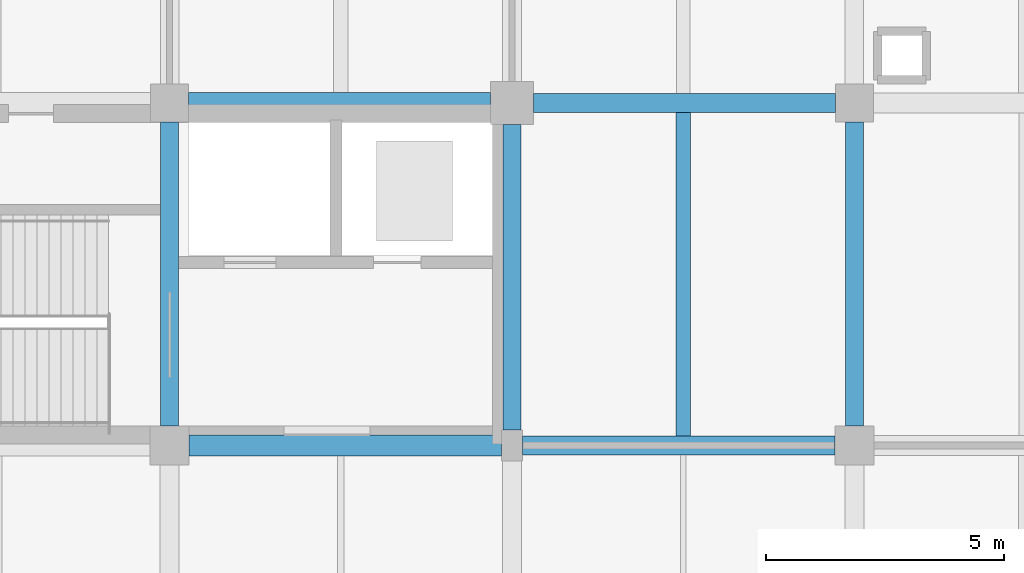
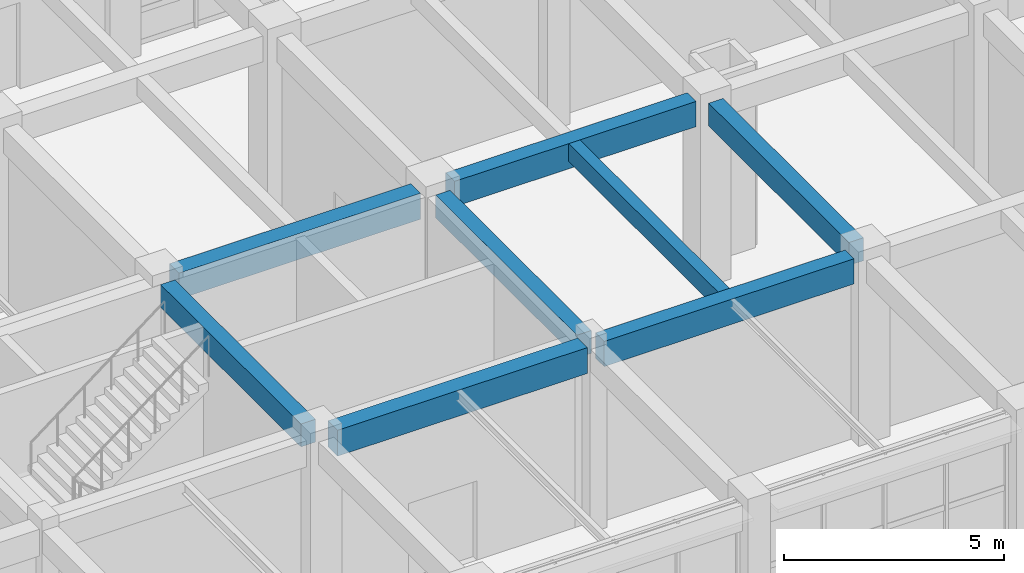
# One storey, part 61 of 160: 8 beams.
"""IFC4 building model written with IfcOpenShell, lengths in metres."""

from ifc_helpers import new_model, si_unit, direction, frame, origin, origin_2d, place, context, subcontext, project, spatial, rectangle, extrude, material, material_profile, profile_set, type_object, element, save


model = new_model("IFC4")

# Units and contexts
model_context = context("Model", 3, precision=1e-05, world=origin(), true_north=direction((0.0, 1.0)))
body_context = subcontext(model_context, "Body", "Model", "MODEL_VIEW")
ifc_project = project(units=[si_unit("LENGTHUNIT", "METRE"), si_unit("AREAUNIT", "SQUARE_METRE"), si_unit("VOLUMEUNIT", "CUBIC_METRE"), si_unit("PLANEANGLEUNIT", "RADIAN"), si_unit("MASSUNIT", "GRAM", prefix="KILO")], contexts=[model_context])

# Site, building, storey
site_placement = place(None, origin())
site = spatial("IfcSite", under=ifc_project, at=site_placement, CompositionType="ELEMENT")
building_placement = place(site_placement, origin())
building = spatial("IfcBuilding", under=site, at=building_placement, Name="Thalmaran Polytechnic", CompositionType="ELEMENT")
storey_placement = place(building_placement, origin())
storey = spatial("IfcBuildingStorey", under=building, at=storey_placement, Name="L00", CompositionType="ELEMENT", Elevation=0.0)

# Beams
ifc_material = material(Name="Concrete C40/50", Category="concrete")
ifc_material_profile_1 = material_profile(ifc_material, rectangle(XDim=0.39990234375, YDim=0.699951171875, at=origin_2d()), Name="RC 400x700")
ifc_profile_set_1 = profile_set([ifc_material_profile_1], Name="Concrete C40/50")
beam_type_1 = type_object("IfcBeamType", Name="BM-RC05", PredefinedType="BEAM", material=ifc_profile_set_1)
beam_1_placement = place(storey_placement, frame((36.22509765625, 100.800048828125, 4.739990234375), z_axis=(1.0, 0.0, 0.0), x_axis=(0.0, 1.0, 0.0)))
element("IfcBeam", 1, at=beam_1_placement, inside=storey, type_object=beam_type_1, Name="Grid Beam B05 L00 X(5,14)", PredefinedType="BEAM", context=body_context, shape_type="SweptSolid", body=[
    extrude(rectangle(XDim=0.39990234375, YDim=0.699951171875, at=origin_2d()), origin(), (0.0, 0.0, 1.0), 6.56494140625),
])
beam_2_placement = place(storey_placement, frame((36.449951171875, 108.0, 4.739990234375), z_axis=(1.0, 0.0, 0.0), x_axis=(0.0, 1.0, 0.0)))
element("IfcBeam", 2, at=beam_2_placement, inside=storey, type_object=beam_type_1, Name="Grid Beam B05 L00 X(5,15)", PredefinedType="BEAM", context=body_context, shape_type="SweptSolid", body=[
    extrude(rectangle(XDim=0.39990234375, YDim=0.699951171875, at=origin_2d()), origin(), (0.0, 0.0, 1.0), 6.35009765625),
])
ifc_material_profile_2 = material_profile(ifc_material, rectangle(XDim=0.300048828125, YDim=0.5, at=origin_2d()), Name="RC 300x500")
ifc_profile_set_2 = profile_set([ifc_material_profile_2], Name="Concrete C40/50")
beam_type_2 = type_object("IfcBeamType", Name="BM-RC11", PredefinedType="JOIST", material=ifc_profile_set_2)
beam_3_placement = place(storey_placement, frame((39.60009765625, 101.0, 4.840087890625), z_axis=(0.0, 1.0, 0.0), x_axis=(-1.0, 0.0, 0.0)))
element("IfcBeam", 3, at=beam_3_placement, inside=storey, type_object=beam_type_2, Name="Secondary Floor Rib RB01 L00 (5,14)", PredefinedType="JOIST", context=body_context, shape_type="SweptSolid", body=[
    extrude(rectangle(XDim=0.300048828125, YDim=0.5, at=origin_2d()), origin(), (0.0, 0.0, 1.0), 6.800048828125),
])
ifc_material_profile_3 = material_profile(ifc_material, rectangle(XDim=0.43994140625, YDim=0.719970703125, at=origin_2d()), Name="RC 440x720")
ifc_profile_set_3 = profile_set([ifc_material_profile_3], Name="Concrete C40/50")
beam_type_3 = type_object("IfcBeamType", Name="BM-ZB03", PredefinedType="BEAM", material=ifc_profile_set_3)
beam_4_placement = place(storey_placement, frame((29.2099609375, 100.800048828125, 4.72998046875), z_axis=(1.0, 0.0, 0.0), x_axis=(0.0, 1.0, 0.0)))
element("IfcBeam", 4, at=beam_4_placement, inside=storey, type_object=beam_type_3, Name="Grid Beam ZB03 L00 X(4,14)", PredefinedType="BEAM", context=body_context, shape_type="SweptSolid", body=[
    extrude(rectangle(XDim=0.43994140625, YDim=0.719970703125, at=origin_2d()), origin(), (0.0, 0.0, 1.0), 6.56494140625),
])
beam_5_placement = place(storey_placement, frame((29.199951171875, 108.0, 4.72998046875), z_axis=(1.0, 0.0, 0.0), x_axis=(0.0, 1.0, 0.0)))
element("IfcBeam", 5, at=beam_5_placement, inside=storey, type_object=beam_type_3, Name="Grid Beam ZB03 L00 X(4,15)", PredefinedType="BEAM", context=body_context, shape_type="SweptSolid", body=[
    extrude(rectangle(XDim=0.43994140625, YDim=0.719970703125, at=origin_2d()), origin(), (0.0, 0.0, 1.0), 6.35009765625),
])
ifc_material_profile_4 = material_profile(ifc_material, rectangle(XDim=0.3798828125, YDim=0.635009765625, at=origin_2d()), Name="RC 380x635")
ifc_profile_set_4 = profile_set([ifc_material_profile_4], Name="Concrete C40/50")
beam_type_4 = type_object("IfcBeamType", Name="BM-ZB06", PredefinedType="BEAM", material=ifc_profile_set_4)
beam_6_placement = place(storey_placement, frame((28.800048828125, 101.2099609375, 4.7724609375), z_axis=(0.0, 1.0, 0.0), x_axis=(-1.0, 0.0, 0.0)))
element("IfcBeam", 6, at=beam_6_placement, inside=storey, type_object=beam_type_4, Name="Grid Beam ZB06 L00 Y(4,14)", PredefinedType="BEAM", context=body_context, shape_type="SweptSolid", body=[
    extrude(rectangle(XDim=0.3798828125, YDim=0.635009765625, at=origin_2d()), origin(), (0.0, 0.0, 1.0), 6.39013671875),
])
beam_7_placement = place(storey_placement, frame((36.0, 101.125, 4.7724609375), z_axis=(0.0, 1.0, 0.0), x_axis=(-1.0, 0.0, 0.0)))
element("IfcBeam", 7, at=beam_7_placement, inside=storey, type_object=beam_type_4, Name="Grid Beam ZB06 L00 Y(5,14)", PredefinedType="BEAM", context=body_context, shape_type="SweptSolid", body=[
    extrude(rectangle(XDim=0.3798828125, YDim=0.635009765625, at=origin_2d()), origin(), (0.0, 0.0, 1.0), 6.425048828125),
])
beam_8_placement = place(storey_placement, frame((43.199951171875, 101.2099609375, 4.7724609375), z_axis=(0.0, 1.0, 0.0), x_axis=(-1.0, 0.0, 0.0)))
element("IfcBeam", 8, at=beam_8_placement, inside=storey, type_object=beam_type_4, Name="Grid Beam ZB06 L00 Y(6,14)", PredefinedType="BEAM", context=body_context, shape_type="SweptSolid", body=[
    extrude(rectangle(XDim=0.3798828125, YDim=0.635009765625, at=origin_2d()), origin(), (0.0, 0.0, 1.0), 6.39013671875),
])

save(model, "model.ifc")
